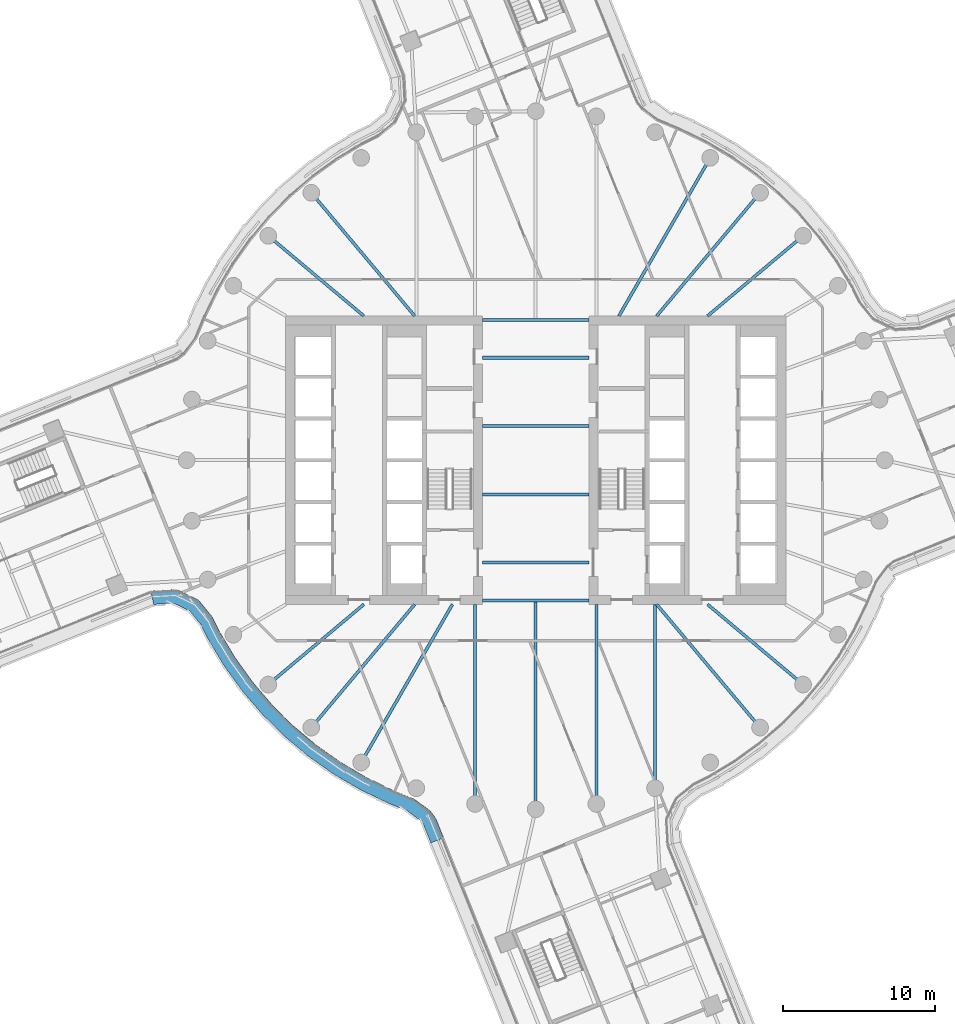
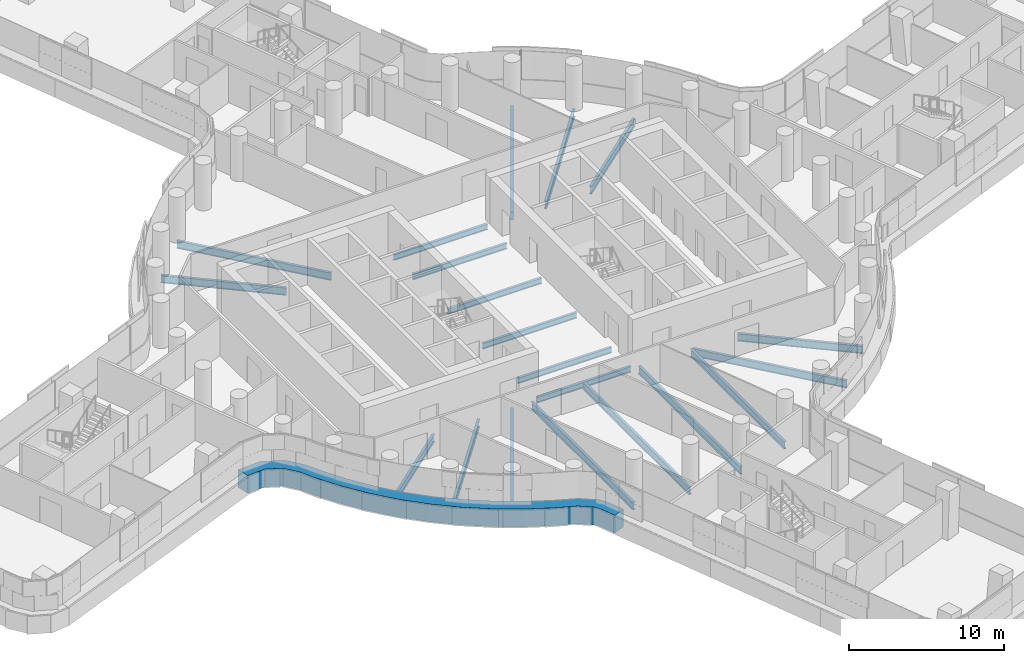
# One storey, part 8 of 32: 20 beams, 1 member, 1 element without a shape of its own.
"""IFC4 building model written with IfcOpenShell, lengths in metres."""

from ifc_helpers import new_model, si_unit, direction, frame, origin, origin_2d, place, context, subcontext, project, spatial, polyline, i_section, outline, extrude, material, layer, layer_set, material_profile, profile_set, type_object, element, aggregate, save


model = new_model("IFC4")

# Units and contexts
model_context = context("Model", 3, precision=1e-05, world=origin(), true_north=direction((0.0, 1.0)))
body_context = subcontext(model_context, "Body", "Model", "MODEL_VIEW")
ifc_project = project(units=[si_unit("LENGTHUNIT", "METRE"), si_unit("AREAUNIT", "SQUARE_METRE"), si_unit("VOLUMEUNIT", "CUBIC_METRE"), si_unit("PLANEANGLEUNIT", "RADIAN"), si_unit("MASSUNIT", "GRAM", prefix="KILO")], contexts=[model_context])

# Site, building, storey
site_placement = place(None, origin())
site = spatial("IfcSite", under=ifc_project, at=site_placement, CompositionType="ELEMENT")
building_placement = place(site_placement, origin())
building = spatial("IfcBuilding", under=site, at=building_placement, Name="Tamarind Cross Interchange Tower", CompositionType="ELEMENT")
storey_placement = place(building_placement, frame((0.0, 0.0, 113.5)))
storey = spatial("IfcBuildingStorey", under=building, at=storey_placement, Name="L27", CompositionType="ELEMENT", Elevation=113.5)

# Beams
ifc_material_1 = material(Name="Steel Q355B", Category="steel")
ifc_material_profile_1 = material_profile(ifc_material_1, i_section(OverallWidth=0.198974609375, OverallDepth=0.446044921875, WebThickness=0.008056640625, FlangeThickness=0.011962890625, FilletRadius=0.012939453125, at=origin_2d()), Name="HN 446x199x8x12")
ifc_profile_set_1 = profile_set([ifc_material_profile_1], Name="Steel Q355B")
beam_type_1 = type_object("IfcBeamType", Name="Composite beam HN 446x199x8x12 Q355B", PredefinedType="BEAM", material=ifc_profile_set_1)
for number, where, z_axis, x_axis, name in (
    (1, (-3.5, -2.25, -0.363037109375), (1.0, 0.0, 0.0), (0.0, 1.0, 0.0), "Beam G-2.25"),
    (2, (-3.5, -6.75, -0.363037109375), (1.0, 0.0, 0.0), (0.0, 1.0, 0.0), "Beam G-6.75"),
    (3, (-3.5, -9.25, -0.363037109375), (1.0, 0.0, 0.0), (0.0, 1.0, 0.0), "Beam G-9.25"),
    (4, (-3.5, 2.25, -0.363037109375), (1.0, 0.0, 0.0), (0.0, 1.0, 0.0), "Beam G2.25"),
    (5, (-3.5, 6.75, -0.363037109375), (1.0, 0.0, 0.0), (0.0, 1.0, 0.0), "Beam G6.75"),
    (6, (-3.5, 9.25, -0.363037109375), (1.0, 0.0, 0.0), (0.0, 1.0, 0.0), "Beam G9.25"),
):
    element("IfcBeam", number, at=place(storey_placement, frame(where, z_axis=z_axis, x_axis=x_axis)), inside=storey, type_object=beam_type_1, Name=name, PredefinedType="BEAM", context=body_context, shape_type="SweptSolid", body=[
        extrude(i_section(OverallWidth=0.198974609375, OverallDepth=0.446044921875, WebThickness=0.008056640625, FlangeThickness=0.011962890625, FilletRadius=0.012939453125, at=origin_2d()), origin(), (0.0, 0.0, 1.0), 7.0),
    ])
ifc_material_profile_2 = material_profile(ifc_material_1, i_section(OverallWidth=0.198974609375, OverallDepth=0.595947265625, WebThickness=0.010009765625, FlangeThickness=0.014892578125, FilletRadius=0.012939453125, at=origin_2d()), Name="HN 596x199x10x15")
ifc_profile_set_2 = profile_set([ifc_material_profile_2], Name="Steel Q355B")
beam_type_2 = type_object("IfcBeamType", Name="Composite beam HN 596x199x10x15 Q355B", PredefinedType="BEAM", material=ifc_profile_set_2)
beam_1_placement = place(storey_placement, frame((17.619140625, 14.7841796875, -0.43798828125), z_axis=(-0.766040580814, -0.642792212574, 0.0), x_axis=(0.642792212574, -0.766040580814, 0.0)))
element("IfcBeam", 7, at=beam_1_placement, inside=storey, type_object=beam_type_2, Name="Beam HH04", PredefinedType="BEAM", context=body_context, shape_type="SweptSolid", body=[
    extrude(i_section(OverallWidth=0.198974609375, OverallDepth=0.595947265625, WebThickness=0.010009765625, FlangeThickness=0.014892578125, FilletRadius=0.012939453125, at=origin_2d()), origin(), (0.0, 0.0, 1.0), 8.220703125),
])
beam_2_placement = place(storey_placement, frame((14.7841796875, 17.619140625, -0.43798828125), z_axis=(-0.642786293979, -0.766045547127, 0.0), x_axis=(0.766045547127, -0.642786293979, 0.0)))
element("IfcBeam", 8, at=beam_2_placement, inside=storey, type_object=beam_type_2, Name="Beam HH05", PredefinedType="BEAM", context=body_context, shape_type="SweptSolid", body=[
    extrude(i_section(OverallWidth=0.198974609375, OverallDepth=0.595947265625, WebThickness=0.010009765625, FlangeThickness=0.014892578125, FilletRadius=0.012939453125, at=origin_2d()), origin(), (0.0, 0.0, 1.0), 10.598876953125),
])
beam_3_placement = place(storey_placement, frame((11.5, 19.918701171875, -0.43798828125), z_axis=(-0.499993565836, -0.866029118519, 0.0), x_axis=(0.866029118519, -0.499993565836, 0.0)))
element("IfcBeam", 9, at=beam_3_placement, inside=storey, type_object=beam_type_2, Name="Beam HH06", PredefinedType="BEAM", context=body_context, shape_type="SweptSolid", body=[
    extrude(i_section(OverallWidth=0.198974609375, OverallDepth=0.595947265625, WebThickness=0.010009765625, FlangeThickness=0.014892578125, FilletRadius=0.012939453125, at=origin_2d()), origin(), (0.0, 0.0, 1.0), 12.030517578125),
])
beam_4_placement = place(storey_placement, frame((-14.7841796875, 17.619140625, -0.43798828125), z_axis=(0.642786293979, -0.766045547127, 0.0), x_axis=(0.766045547127, 0.642786293979, 0.0)))
element("IfcBeam", 10, at=beam_4_placement, inside=storey, type_object=beam_type_2, Name="Beam HH13", PredefinedType="BEAM", context=body_context, shape_type="SweptSolid", body=[
    extrude(i_section(OverallWidth=0.198974609375, OverallDepth=0.595947265625, WebThickness=0.010009765625, FlangeThickness=0.014892578125, FilletRadius=0.012939453125, at=origin_2d()), origin(), (0.0, 0.0, 1.0), 10.598876953125),
])
for number, where, z_axis, x_axis, name in (
    (11, (-17.619140625, 14.7841796875, -0.43798828125), (0.766040580814, -0.642792212574, 0.0), (0.642792212574, 0.766040580814, 0.0), "Beam HH14"),
    (12, (-17.619140625, -14.7841796875, -0.43798828125), (0.766040580814, 0.642792212574, 0.0), (-0.642792212574, 0.766040580814, 0.0), "Beam HH22"),
):
    element("IfcBeam", number, at=place(storey_placement, frame(where, z_axis=z_axis, x_axis=x_axis)), inside=storey, type_object=beam_type_2, Name=name, PredefinedType="BEAM", context=body_context, shape_type="SweptSolid", body=[
        extrude(i_section(OverallWidth=0.198974609375, OverallDepth=0.595947265625, WebThickness=0.010009765625, FlangeThickness=0.014892578125, FilletRadius=0.012939453125, at=origin_2d()), origin(), (0.0, 0.0, 1.0), 8.220703125),
    ])
beam_5_placement = place(storey_placement, frame((-14.7841796875, -17.619140625, -0.43798828125), z_axis=(0.642786293979, 0.766045547127, 0.0), x_axis=(-0.766045547127, 0.642786293979, 0.0)))
element("IfcBeam", 13, at=beam_5_placement, inside=storey, type_object=beam_type_2, Name="Beam HH23", PredefinedType="BEAM", context=body_context, shape_type="SweptSolid", body=[
    extrude(i_section(OverallWidth=0.198974609375, OverallDepth=0.595947265625, WebThickness=0.010009765625, FlangeThickness=0.014892578125, FilletRadius=0.012939453125, at=origin_2d()), origin(), (0.0, 0.0, 1.0), 10.598876953125),
])
beam_6_placement = place(storey_placement, frame((-11.5, -19.918701171875, -0.43798828125), z_axis=(0.499993565836, 0.866029118519, 0.0), x_axis=(-0.866029118519, 0.499993565836, 0.0)))
element("IfcBeam", 14, at=beam_6_placement, inside=storey, type_object=beam_type_2, Name="Beam HH24", PredefinedType="BEAM", context=body_context, shape_type="SweptSolid", body=[
    extrude(i_section(OverallWidth=0.198974609375, OverallDepth=0.595947265625, WebThickness=0.010009765625, FlangeThickness=0.014892578125, FilletRadius=0.012939453125, at=origin_2d()), origin(), (0.0, 0.0, 1.0), 12.030517578125),
])
beam_7_placement = place(storey_placement, frame((-3.993896484375, -22.650634765625, -0.43798828125), z_axis=(0.0, 1.0, 0.0), x_axis=(-1.0, 0.0, 0.0)))
element("IfcBeam", 15, at=beam_7_placement, inside=storey, type_object=beam_type_2, Name="Beam HH26", PredefinedType="BEAM", context=body_context, shape_type="SweptSolid", body=[
    extrude(i_section(OverallWidth=0.198974609375, OverallDepth=0.595947265625, WebThickness=0.010009765625, FlangeThickness=0.014892578125, FilletRadius=0.012939453125, at=origin_2d()), origin(), (0.0, 0.0, 1.0), 13.150634765625),
])
beam_8_placement = place(storey_placement, frame((0.0, -23.0, -0.43798828125), z_axis=(0.0, 1.0, 0.0), x_axis=(-1.0, 0.0, 0.0)))
element("IfcBeam", 16, at=beam_8_placement, inside=storey, type_object=beam_type_2, Name="Beam HH27", PredefinedType="BEAM", context=body_context, shape_type="SweptSolid", body=[
    extrude(i_section(OverallWidth=0.198974609375, OverallDepth=0.595947265625, WebThickness=0.010009765625, FlangeThickness=0.014892578125, FilletRadius=0.012939453125, at=origin_2d()), origin(), (0.0, 0.0, 1.0), 13.75),
])
beam_9_placement = place(storey_placement, frame((3.993896484375, -22.650634765625, -0.43798828125), z_axis=(0.0, 1.0, 0.0), x_axis=(-1.0, 0.0, 0.0)))
element("IfcBeam", 17, at=beam_9_placement, inside=storey, type_object=beam_type_2, Name="Beam HH28", PredefinedType="BEAM", context=body_context, shape_type="SweptSolid", body=[
    extrude(i_section(OverallWidth=0.198974609375, OverallDepth=0.595947265625, WebThickness=0.010009765625, FlangeThickness=0.014892578125, FilletRadius=0.012939453125, at=origin_2d()), origin(), (0.0, 0.0, 1.0), 13.150634765625),
])
beam_10_placement = place(storey_placement, frame((7.866455078125, -21.613037109375, -0.43798828125), z_axis=(0.0, 1.0, 0.0), x_axis=(-1.0, 0.0, 0.0)))
element("IfcBeam", 18, at=beam_10_placement, inside=storey, type_object=beam_type_2, Name="Beam HH29", PredefinedType="BEAM", context=body_context, shape_type="SweptSolid", body=[
    extrude(i_section(OverallWidth=0.198974609375, OverallDepth=0.595947265625, WebThickness=0.010009765625, FlangeThickness=0.014892578125, FilletRadius=0.012939453125, at=origin_2d()), origin(), (0.0, 0.0, 1.0), 12.113037109375),
])
beam_11_placement = place(storey_placement, frame((14.7841796875, -17.619140625, -0.43798828125), z_axis=(-0.642786293979, 0.766045547127, 0.0), x_axis=(-0.766045547127, -0.642786293979, 0.0)))
element("IfcBeam", 19, at=beam_11_placement, inside=storey, type_object=beam_type_2, Name="Beam HH31", PredefinedType="BEAM", context=body_context, shape_type="SweptSolid", body=[
    extrude(i_section(OverallWidth=0.198974609375, OverallDepth=0.595947265625, WebThickness=0.010009765625, FlangeThickness=0.014892578125, FilletRadius=0.012939453125, at=origin_2d()), origin(), (0.0, 0.0, 1.0), 10.598876953125),
])
beam_12_placement = place(storey_placement, frame((17.619140625, -14.7841796875, -0.43798828125), z_axis=(-0.766040580814, 0.642792212574, 0.0), x_axis=(-0.642792212574, -0.766040580814, 0.0)))
element("IfcBeam", 20, at=beam_12_placement, inside=storey, type_object=beam_type_2, Name="Beam HH32", PredefinedType="BEAM", context=body_context, shape_type="SweptSolid", body=[
    extrude(i_section(OverallWidth=0.198974609375, OverallDepth=0.595947265625, WebThickness=0.010009765625, FlangeThickness=0.014892578125, FilletRadius=0.012939453125, at=origin_2d()), origin(), (0.0, 0.0, 1.0), 8.220703125),
])

# Curtain wall, member
ifc_material_2 = material(Name="Aluminium 6063-T6", Category="aluminium")
ifc_layer = layer(ifc_material_2, 0.159912109375)
ifc_layer_set = layer_set([ifc_layer], Name="Aluminium 6063-T6")
curtain_wall_type = type_object("IfcCurtainWallType", Name="Office curtain wall, 9.0 m bays", PredefinedType="NOTDEFINED", material=ifc_layer_set)
curtain_wall_placement = place(storey_placement, origin())
curtain_wall = element("IfcCurtainWall", 21, at=curtain_wall_placement, inside=storey, type_object=curtain_wall_type, Name="CWS-L27-02", PredefinedType="NOTDEFINED")
ifc_material_3 = material(Name="Aluminium and insulated spandrel panel", Category="aluminium")
member_type = type_object("IfcMemberType", Name="Floor-edge blade transom", PredefinedType="USERDEFINED", material=ifc_material_3)
member_placement = place(storey_placement, origin())
member = element("IfcMember", 22, at=member_placement, type_object=member_type, Name="CWT-L27-02", ObjectType="TRANSOM", PredefinedType="USERDEFINED", context=body_context, shape_type="SweptSolid", body=[
    extrude(outline(polyline([(-25.369384765625, -8.61376953125), (-23.662109375, -8.516357421875), (-22.218505859375, -9.212158203125), (-21.302490234375, -10.34130859375), (-20.791259765625, -11.366943359375), (-19.78125, -13.045654296875), (-18.636474609375, -14.634521484375), (-17.3642578125, -16.12353515625), (-15.973388671875, -17.50244140625), (-14.4736328125, -18.76171875), (-12.874755859375, -19.892822265625), (-11.188232421875, -20.88818359375), (-9.421142578125, -21.742431640625), (-7.977783203125, -22.344970703125), (-6.961181640625, -23.10400390625), (-6.590576171875, -23.581787109375), (-6.06396484375, -24.87744140625), (-6.8984375, -25.215087890625), (-7.377685546875, -24.035400390625), (-7.597412109375, -23.752197265625), (-8.42724609375, -23.132568359375), (-9.790771484375, -22.5634765625), (-11.613525390625, -21.68212890625), (-13.3642578125, -20.64892578125), (-15.023681640625, -19.474853515625), (-16.580810546875, -18.167724609375), (-18.0244140625, -16.736572265625), (-19.344970703125, -15.19091796875), (-20.533203125, -13.54150390625), (-21.580810546875, -11.800537109375), (-22.063720703125, -10.831298828125), (-22.790771484375, -9.935546875), (-23.84326171875, -9.42822265625), (-25.171142578125, -9.50390625), (-25.369384765625, -8.61376953125)])), origin(), (0.0, 0.0, 1.0), 1.39990234375),
])
aggregate(curtain_wall, [member])

save(model, "model.ifc")
